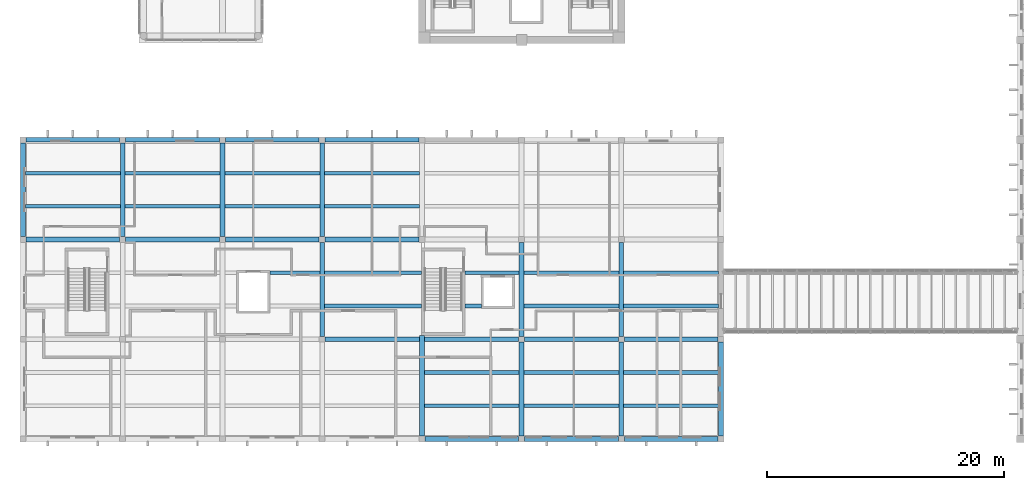
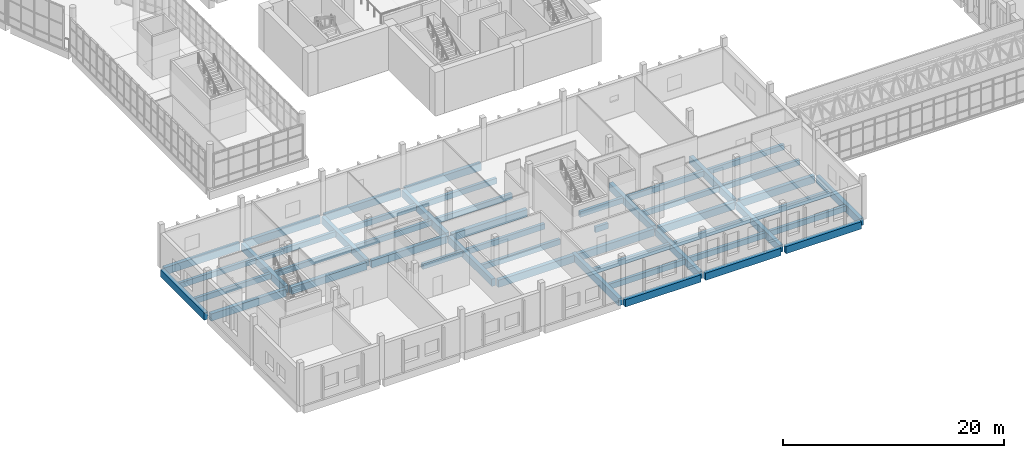
# One storey, part 2 of 119: 48 beams.
"""IFC4 building model written with IfcOpenShell, lengths in metres."""

from ifc_helpers import new_model, si_unit, direction, frame, origin, origin_2d, place, context, subcontext, project, spatial, rectangle, extrude, material, material_profile, profile_set, type_object, element, save


model = new_model("IFC4")

# Units and contexts
model_context = context("Model", 3, precision=1e-05, world=origin(), true_north=direction((0.0, 1.0)))
body_context = subcontext(model_context, "Body", "Model", "MODEL_VIEW")
ifc_project = project(units=[si_unit("LENGTHUNIT", "METRE"), si_unit("AREAUNIT", "SQUARE_METRE"), si_unit("VOLUMEUNIT", "CUBIC_METRE"), si_unit("PLANEANGLEUNIT", "RADIAN"), si_unit("MASSUNIT", "GRAM", prefix="KILO")], contexts=[model_context])

# Site, building, storey
site_placement = place(None, origin())
site = spatial("IfcSite", under=ifc_project, at=site_placement, CompositionType="ELEMENT")
building_placement = place(site_placement, origin())
building = spatial("IfcBuilding", under=site, at=building_placement, Name="Larchfold Concert Hall", CompositionType="ELEMENT")
storey_placement = place(building_placement, frame((0.0, 0.0, 4.800048828125)))
storey = spatial("IfcBuildingStorey", under=building, at=storey_placement, Name="L01", CompositionType="ELEMENT", Elevation=4.800048828125)

# Beams
ifc_material_1 = material(Name="Concrete C35/45", Category="concrete")
ifc_material_profile_1 = material_profile(ifc_material_1, rectangle(XDim=0.300048828125, YDim=0.60009765625, at=origin_2d()))
ifc_profile_set_1 = profile_set([ifc_material_profile_1], Name="Concrete C35/45")
beam_type_1 = type_object("IfcBeamType", Name="Beam RC 300x600", PredefinedType="BEAM", material=ifc_profile_set_1)
for number, where, z_axis, x_axis, name in (
    (1, (34.39990234375, 3.39990234375, -0.4599609375), (1.0, 0.0, 0.0), (0.0, 1.0, 0.0), "Beam B0151"),
    (2, (42.800048828125, 3.39990234375, -0.4599609375), (1.0, 0.0, 0.0), (0.0, 1.0, 0.0), "Beam B0152"),
    (3, (51.199951171875, 3.39990234375, -0.4599609375), (1.0, 0.0, 0.0), (0.0, 1.0, 0.0), "Beam B0153"),
    (4, (34.39990234375, 6.199951171875, -0.4599609375), (1.0, 0.0, 0.0), (0.0, 1.0, 0.0), "Beam B0158"),
    (5, (42.800048828125, 6.199951171875, -0.4599609375), (1.0, 0.0, 0.0), (0.0, 1.0, 0.0), "Beam B0159"),
    (6, (51.199951171875, 6.199951171875, -0.4599609375), (1.0, 0.0, 0.0), (0.0, 1.0, 0.0), "Beam B0160"),
):
    element("IfcBeam", number, at=place(storey_placement, frame(where, z_axis=z_axis, x_axis=x_axis)), inside=storey, type_object=beam_type_1, Name=name, PredefinedType="BEAM", context=body_context, shape_type="SweptSolid", body=[
        extrude(rectangle(XDim=0.300048828125, YDim=0.60009765625, at=origin_2d()), origin(), (0.0, 0.0, 1.0), 8.0),
    ])
beam_1_placement = place(storey_placement, frame((26.0, 11.800048828125, -0.4599609375), z_axis=(1.0, 0.0, 0.0), x_axis=(0.0, 1.0, 0.0)))
element("IfcBeam", 7, at=beam_1_placement, inside=storey, type_object=beam_type_1, Name="Beam B0166", PredefinedType="BEAM", context=body_context, shape_type="SweptSolid", body=[
    extrude(rectangle(XDim=0.300048828125, YDim=0.60009765625, at=origin_2d()), origin(), (0.0, 0.0, 1.0), 8.14990234375),
])
beam_2_placement = place(storey_placement, frame((37.85009765625, 11.800048828125, -0.4599609375), z_axis=(1.0, 0.0, 0.0), x_axis=(0.0, 1.0, 0.0)))
element("IfcBeam", 8, at=beam_2_placement, inside=storey, type_object=beam_type_1, Name="Beam B0167", PredefinedType="BEAM", context=body_context, shape_type="SweptSolid", body=[
    extrude(rectangle(XDim=0.300048828125, YDim=0.60009765625, at=origin_2d()), origin(), (0.0, 0.0, 1.0), 1.349853515625),
])
for number, where, z_axis, x_axis, name in (
    (9, (42.800048828125, 11.800048828125, -0.4599609375), (1.0, 0.0, 0.0), (0.0, 1.0, 0.0), "Beam B0168"),
    (10, (51.199951171875, 11.800048828125, -0.4599609375), (1.0, 0.0, 0.0), (0.0, 1.0, 0.0), "Beam B0169"),
):
    element("IfcBeam", number, at=place(storey_placement, frame(where, z_axis=z_axis, x_axis=x_axis)), inside=storey, type_object=beam_type_1, Name=name, PredefinedType="BEAM", context=body_context, shape_type="SweptSolid", body=[
        extrude(rectangle(XDim=0.300048828125, YDim=0.60009765625, at=origin_2d()), origin(), (0.0, 0.0, 1.0), 8.0),
    ])
beam_3_placement = place(storey_placement, frame((21.39990234375, 14.60009765625, -0.4599609375), z_axis=(1.0, 0.0, 0.0), x_axis=(0.0, 1.0, 0.0)))
element("IfcBeam", 11, at=beam_3_placement, inside=storey, type_object=beam_type_1, Name="Beam B0174", PredefinedType="BEAM", context=body_context, shape_type="SweptSolid", body=[
    extrude(rectangle(XDim=0.300048828125, YDim=0.60009765625, at=origin_2d()), origin(), (0.0, 0.0, 1.0), 4.2001953125),
])
beam_4_placement = place(storey_placement, frame((26.0, 14.60009765625, -0.4599609375), z_axis=(1.0, 0.0, 0.0), x_axis=(0.0, 1.0, 0.0)))
element("IfcBeam", 12, at=beam_4_placement, inside=storey, type_object=beam_type_1, Name="Beam B0175", PredefinedType="BEAM", context=body_context, shape_type="SweptSolid", body=[
    extrude(rectangle(XDim=0.300048828125, YDim=0.60009765625, at=origin_2d()), origin(), (0.0, 0.0, 1.0), 8.14990234375),
])
beam_5_placement = place(storey_placement, frame((37.85009765625, 14.60009765625, -0.4599609375), z_axis=(1.0, 0.0, 0.0), x_axis=(0.0, 1.0, 0.0)))
element("IfcBeam", 13, at=beam_5_placement, inside=storey, type_object=beam_type_1, Name="Beam B0176", PredefinedType="BEAM", context=body_context, shape_type="SweptSolid", body=[
    extrude(rectangle(XDim=0.300048828125, YDim=0.60009765625, at=origin_2d()), origin(), (0.0, 0.0, 1.0), 4.5498046875),
])
for number, where, z_axis, x_axis, name in (
    (14, (42.800048828125, 14.60009765625, -0.4599609375), (1.0, 0.0, 0.0), (0.0, 1.0, 0.0), "Beam B0177"),
    (15, (51.199951171875, 14.60009765625, -0.4599609375), (1.0, 0.0, 0.0), (0.0, 1.0, 0.0), "Beam B0178"),
    (16, (0.800048828125, 20.199951171875, -0.4599609375), (1.0, 0.0, 0.0), (0.0, 1.0, 0.0), "Beam B0179"),
    (17, (9.199951171875, 20.199951171875, -0.4599609375), (1.0, 0.0, 0.0), (0.0, 1.0, 0.0), "Beam B0180"),
    (18, (17.60009765625, 20.199951171875, -0.4599609375), (1.0, 0.0, 0.0), (0.0, 1.0, 0.0), "Beam B0181"),
    (19, (26.0, 20.199951171875, -0.4599609375), (1.0, 0.0, 0.0), (0.0, 1.0, 0.0), "Beam B0182"),
    (20, (0.800048828125, 23.0, -0.4599609375), (1.0, 0.0, 0.0), (0.0, 1.0, 0.0), "Beam B0186"),
    (21, (9.199951171875, 23.0, -0.4599609375), (1.0, 0.0, 0.0), (0.0, 1.0, 0.0), "Beam B0187"),
    (22, (17.60009765625, 23.0, -0.4599609375), (1.0, 0.0, 0.0), (0.0, 1.0, 0.0), "Beam B0188"),
    (23, (26.0, 23.0, -0.4599609375), (1.0, 0.0, 0.0), (0.0, 1.0, 0.0), "Beam B0189"),
):
    element("IfcBeam", number, at=place(storey_placement, frame(where, z_axis=z_axis, x_axis=x_axis)), inside=storey, type_object=beam_type_1, Name=name, PredefinedType="BEAM", context=body_context, shape_type="SweptSolid", body=[
        extrude(rectangle(XDim=0.300048828125, YDim=0.60009765625, at=origin_2d()), origin(), (0.0, 0.0, 1.0), 8.0),
    ])
ifc_material_2 = material(Name="Concrete C35/45", Category="concrete")
ifc_material_profile_2 = material_profile(ifc_material_2, rectangle(XDim=0.39990234375, YDim=0.800048828125, at=origin_2d()))
ifc_profile_set_2 = profile_set([ifc_material_profile_2], Name="Concrete C35/45")
beam_type_2 = type_object("IfcBeamType", Name="Beam RC 400x800", PredefinedType="BEAM", material=ifc_profile_set_2)
for number, where, z_axis, x_axis, name in (
    (24, (0.60009765625, 17.64990234375, -0.56005859375), (0.0, 1.0, 0.0), (-1.0, 0.0, 0.0), "Beam B0099"),
    (25, (9.0, 17.64990234375, -0.56005859375), (0.0, 1.0, 0.0), (-1.0, 0.0, 0.0), "Beam B0102"),
    (26, (17.39990234375, 17.64990234375, -0.56005859375), (0.0, 1.0, 0.0), (-1.0, 0.0, 0.0), "Beam B0105"),
):
    element("IfcBeam", number, at=place(storey_placement, frame(where, z_axis=z_axis, x_axis=x_axis)), inside=storey, type_object=beam_type_2, Name=name, PredefinedType="BEAM", context=body_context, shape_type="SweptSolid", body=[
        extrude(rectangle(XDim=0.39990234375, YDim=0.800048828125, at=origin_2d()), origin(), (0.0, 0.0, 1.0), 7.900146484375),
    ])
beam_6_placement = place(storey_placement, frame((25.800048828125, 9.25, -0.56005859375), z_axis=(0.0, 1.0, 0.0), x_axis=(-1.0, 0.0, 0.0)))
element("IfcBeam", 27, at=beam_6_placement, inside=storey, type_object=beam_type_2, Name="Beam B0107", PredefinedType="BEAM", context=body_context, shape_type="SweptSolid", body=[
    extrude(rectangle(XDim=0.39990234375, YDim=0.800048828125, at=origin_2d()), origin(), (0.0, 0.0, 1.0), 7.89990234375),
])
beam_7_placement = place(storey_placement, frame((25.800048828125, 17.64990234375, -0.56005859375), z_axis=(0.0, 1.0, 0.0), x_axis=(-1.0, 0.0, 0.0)))
element("IfcBeam", 28, at=beam_7_placement, inside=storey, type_object=beam_type_2, Name="Beam B0108", PredefinedType="BEAM", context=body_context, shape_type="SweptSolid", body=[
    extrude(rectangle(XDim=0.39990234375, YDim=0.800048828125, at=origin_2d()), origin(), (0.0, 0.0, 1.0), 7.900146484375),
])
beam_8_placement = place(storey_placement, frame((34.199951171875, 0.85009765625, -0.56005859375), z_axis=(0.0, 1.0, 0.0), x_axis=(-1.0, 0.0, 0.0)))
element("IfcBeam", 29, at=beam_8_placement, inside=storey, type_object=beam_type_2, Name="Beam B0109", PredefinedType="BEAM", context=body_context, shape_type="SweptSolid", body=[
    extrude(rectangle(XDim=0.39990234375, YDim=0.800048828125, at=origin_2d()), origin(), (0.0, 0.0, 1.0), 8.449951171875),
])
for number, where, z_axis, x_axis, name in (
    (30, (42.60009765625, 0.85009765625, -0.56005859375), (0.0, 1.0, 0.0), (-1.0, 0.0, 0.0), "Beam B0111"),
    (31, (42.60009765625, 9.25, -0.56005859375), (0.0, 1.0, 0.0), (-1.0, 0.0, 0.0), "Beam B0112"),
    (32, (51.0, 0.85009765625, -0.56005859375), (0.0, 1.0, 0.0), (-1.0, 0.0, 0.0), "Beam B0114"),
    (33, (51.0, 9.25, -0.56005859375), (0.0, 1.0, 0.0), (-1.0, 0.0, 0.0), "Beam B0115"),
    (34, (59.39990234375, 0.85009765625, -0.56005859375), (0.0, 1.0, 0.0), (-1.0, 0.0, 0.0), "Beam B0117"),
):
    element("IfcBeam", number, at=place(storey_placement, frame(where, z_axis=z_axis, x_axis=x_axis)), inside=storey, type_object=beam_type_2, Name=name, PredefinedType="BEAM", context=body_context, shape_type="SweptSolid", body=[
        extrude(rectangle(XDim=0.39990234375, YDim=0.800048828125, at=origin_2d()), origin(), (0.0, 0.0, 1.0), 7.89990234375),
    ])
beam_9_placement = place(storey_placement, frame((34.449951171875, 0.60009765625, -0.56005859375), z_axis=(1.0, 0.0, 0.0), x_axis=(0.0, 1.0, 0.0)))
element("IfcBeam", 35, at=beam_9_placement, inside=storey, type_object=beam_type_2, Name="Beam B0124", PredefinedType="BEAM", context=body_context, shape_type="SweptSolid", body=[
    extrude(rectangle(XDim=0.39990234375, YDim=0.800048828125, at=origin_2d()), origin(), (0.0, 0.0, 1.0), 7.900146484375),
])
for number, where, z_axis, x_axis, name in (
    (36, (42.85009765625, 0.60009765625, -0.56005859375), (1.0, 0.0, 0.0), (0.0, 1.0, 0.0), "Beam B0125"),
    (37, (51.25, 0.60009765625, -0.56005859375), (1.0, 0.0, 0.0), (0.0, 1.0, 0.0), "Beam B0126"),
):
    element("IfcBeam", number, at=place(storey_placement, frame(where, z_axis=z_axis, x_axis=x_axis)), inside=storey, type_object=beam_type_2, Name=name, PredefinedType="BEAM", context=body_context, shape_type="SweptSolid", body=[
        extrude(rectangle(XDim=0.39990234375, YDim=0.800048828125, at=origin_2d()), origin(), (0.0, 0.0, 1.0), 7.89990234375),
    ])
beam_10_placement = place(storey_placement, frame((26.050048828125, 9.0, -0.56005859375), z_axis=(1.0, 0.0, 0.0), x_axis=(0.0, 1.0, 0.0)))
element("IfcBeam", 38, at=beam_10_placement, inside=storey, type_object=beam_type_2, Name="Beam B0130", PredefinedType="BEAM", context=body_context, shape_type="SweptSolid", body=[
    extrude(rectangle(XDim=0.39990234375, YDim=0.800048828125, at=origin_2d()), origin(), (0.0, 0.0, 1.0), 16.300048828125),
])
for number, where, z_axis, x_axis, name in (
    (39, (42.85009765625, 9.0, -0.56005859375), (1.0, 0.0, 0.0), (0.0, 1.0, 0.0), "Beam B0131"),
    (40, (51.25, 9.0, -0.56005859375), (1.0, 0.0, 0.0), (0.0, 1.0, 0.0), "Beam B0132"),
    (41, (0.85009765625, 17.39990234375, -0.56005859375), (1.0, 0.0, 0.0), (0.0, 1.0, 0.0), "Beam B0133"),
    (42, (9.25, 17.39990234375, -0.56005859375), (1.0, 0.0, 0.0), (0.0, 1.0, 0.0), "Beam B0134"),
):
    element("IfcBeam", number, at=place(storey_placement, frame(where, z_axis=z_axis, x_axis=x_axis)), inside=storey, type_object=beam_type_2, Name=name, PredefinedType="BEAM", context=body_context, shape_type="SweptSolid", body=[
        extrude(rectangle(XDim=0.39990234375, YDim=0.800048828125, at=origin_2d()), origin(), (0.0, 0.0, 1.0), 7.89990234375),
    ])
beam_11_placement = place(storey_placement, frame((17.64990234375, 17.39990234375, -0.56005859375), z_axis=(1.0, 0.0, 0.0), x_axis=(0.0, 1.0, 0.0)))
element("IfcBeam", 43, at=beam_11_placement, inside=storey, type_object=beam_type_2, Name="Beam B0135", PredefinedType="BEAM", context=body_context, shape_type="SweptSolid", body=[
    extrude(rectangle(XDim=0.39990234375, YDim=0.800048828125, at=origin_2d()), origin(), (0.0, 0.0, 1.0), 7.900146484375),
])
for number, where, z_axis, x_axis, name in (
    (44, (26.050048828125, 17.39990234375, -0.56005859375), (1.0, 0.0, 0.0), (0.0, 1.0, 0.0), "Beam B0136"),
    (45, (0.85009765625, 25.800048828125, -0.56005859375), (1.0, 0.0, 0.0), (0.0, 1.0, 0.0), "Beam B0140"),
    (46, (9.25, 25.800048828125, -0.56005859375), (1.0, 0.0, 0.0), (0.0, 1.0, 0.0), "Beam B0141"),
):
    element("IfcBeam", number, at=place(storey_placement, frame(where, z_axis=z_axis, x_axis=x_axis)), inside=storey, type_object=beam_type_2, Name=name, PredefinedType="BEAM", context=body_context, shape_type="SweptSolid", body=[
        extrude(rectangle(XDim=0.39990234375, YDim=0.800048828125, at=origin_2d()), origin(), (0.0, 0.0, 1.0), 7.89990234375),
    ])
beam_12_placement = place(storey_placement, frame((17.64990234375, 25.800048828125, -0.56005859375), z_axis=(1.0, 0.0, 0.0), x_axis=(0.0, 1.0, 0.0)))
element("IfcBeam", 47, at=beam_12_placement, inside=storey, type_object=beam_type_2, Name="Beam B0142", PredefinedType="BEAM", context=body_context, shape_type="SweptSolid", body=[
    extrude(rectangle(XDim=0.39990234375, YDim=0.800048828125, at=origin_2d()), origin(), (0.0, 0.0, 1.0), 7.900146484375),
])
beam_13_placement = place(storey_placement, frame((26.050048828125, 25.800048828125, -0.56005859375), z_axis=(1.0, 0.0, 0.0), x_axis=(0.0, 1.0, 0.0)))
element("IfcBeam", 48, at=beam_13_placement, inside=storey, type_object=beam_type_2, Name="Beam B0143", PredefinedType="BEAM", context=body_context, shape_type="SweptSolid", body=[
    extrude(rectangle(XDim=0.39990234375, YDim=0.800048828125, at=origin_2d()), origin(), (0.0, 0.0, 1.0), 7.89990234375),
])

save(model, "model.ifc")
